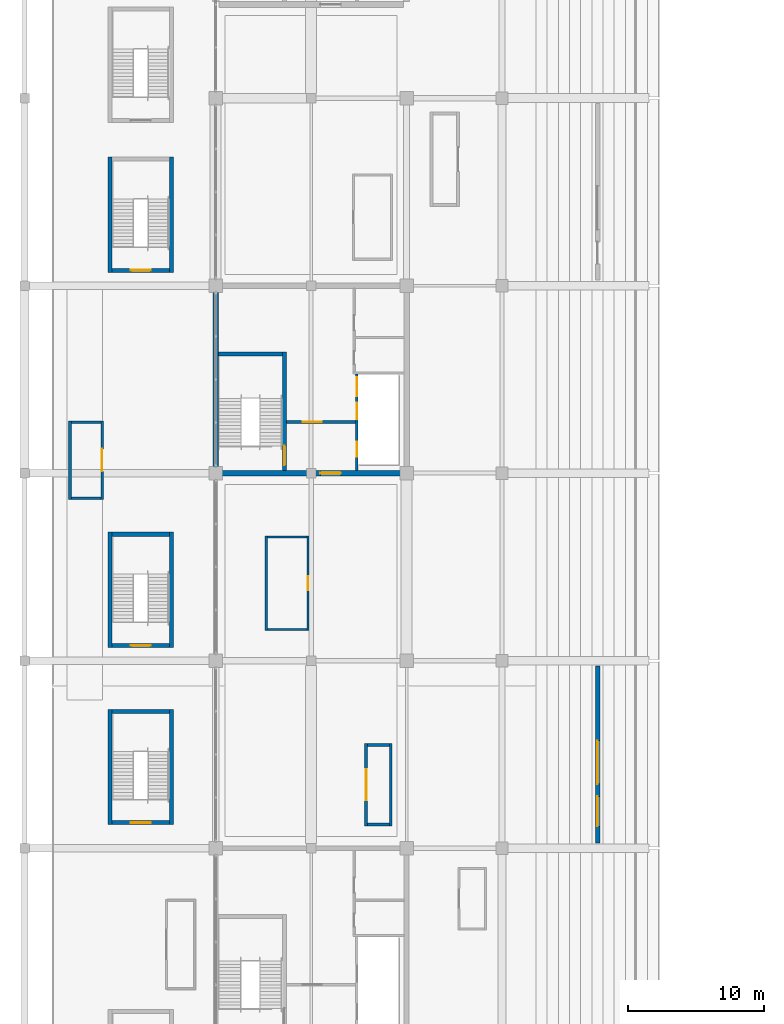
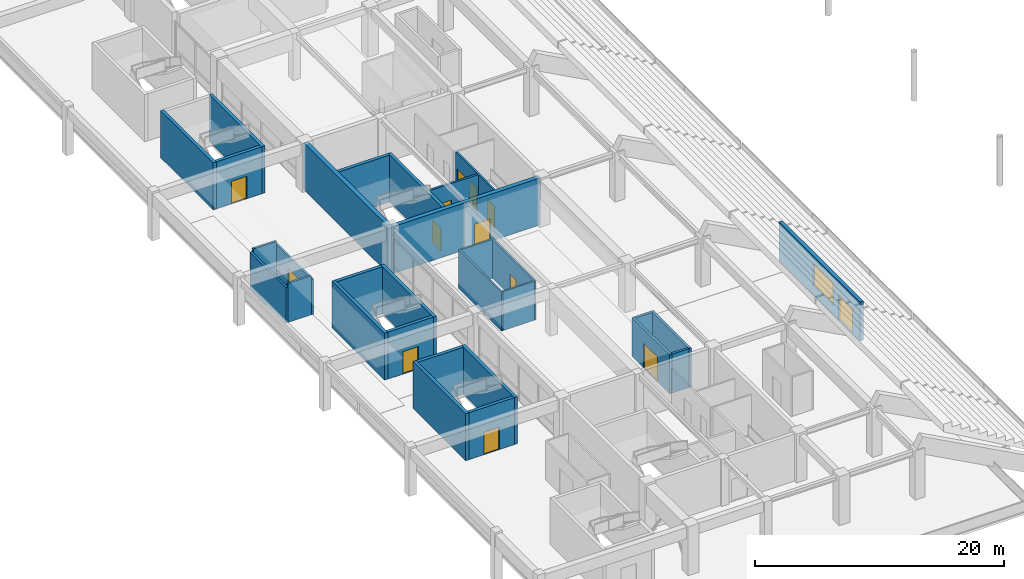
# One storey, part 71 of 94: 30 walls, 13 doors, 1 window, 14 openings.
"""IFC4 building model written with IfcOpenShell, lengths in metres."""

import ifcopenshell
import ifcopenshell.guid

model = None  # the IFC model being written
_history = None  # IfcOwnerHistory: only IFC2X3 demands one
_inside = {}  # id of a spatial element -> (the spatial element, [elements in it])
_under = {}  # id of a project, library or spatial element -> (it, [spatial elements below it])
_declared = {}  # id of a project -> (the project, [libraries it declares])
_typed = {}  # id of a type object -> (the type object, [elements of that type])
_made_of = {}  # id of a material, layer set ... -> (it, [elements and type objects made of it])


def new_model(schema):
    """Start an empty IFC model of exactly this schema.

    Asked for "IFC4X3", IfcOpenShell would pick the latest addendum, in which some entities
    have other attributes; the version numbers below select the first issue.
    IFC2X3 requires an IfcOwnerHistory on every rooted entity: one is made here for all.
    """
    global model, _history
    if schema == "IFC4X3":
        model = ifcopenshell.file(schema_version=(4, 3, 0, 0))
    else:
        model = ifcopenshell.file(schema=schema)
    _inside.clear()
    _under.clear()
    _declared.clear()
    _typed.clear()
    _made_of.clear()
    _history = None
    if model.schema == "IFC2X3":
        org = make("IfcOrganization", Name="unknown")
        user = make(
            "IfcPersonAndOrganization",
            ThePerson=make("IfcPerson", FamilyName="unknown"),
            TheOrganization=org,
        )
        app = make(
            "IfcApplication",
            ApplicationDeveloper=org,
            Version="unknown",
            ApplicationFullName="unknown",
            ApplicationIdentifier="unknown",
        )
        _history = make(
            "IfcOwnerHistory",
            OwningUser=user,
            OwningApplication=app,
            ChangeAction="ADDED",
            CreationDate=0,
        )
    return model


def make(cls, **values):
    """One entity of the class cls with the attributes given. An attribute that is None is left unset."""
    return model.create_entity(
        cls, **{name: value for name, value in values.items() if value is not None}
    )


def rooted(cls, **values):
    """An entity with a GlobalId (a new one), such as an element, a storey or a relation."""
    return make(cls, GlobalId=ifcopenshell.guid.new(), OwnerHistory=_history, **values)


def si_unit(unit_type, name, prefix=None):
    """IfcSIUnit, for example si_unit("LENGTHUNIT", "METRE", prefix="MILLI")."""
    return make("IfcSIUnit", UnitType=unit_type, Prefix=prefix, Name=name)


def assignment(units):
    """IfcUnitAssignment: the units of a project."""
    return None if units is None else make("IfcUnitAssignment", Units=units)


def point(xyz):
    """IfcCartesianPoint."""
    return None if xyz is None else make("IfcCartesianPoint", Coordinates=xyz)


def direction(xyz):
    """IfcDirection."""
    return None if xyz is None else make("IfcDirection", DirectionRatios=xyz)


def frame(location, z_axis=None, x_axis=None):
    """IfcAxis2Placement3D, a coordinate frame: its origin and axes. An axis left out is left unset."""
    return make(
        "IfcAxis2Placement3D",
        Location=point(location),
        Axis=direction(z_axis),
        RefDirection=direction(x_axis),
    )


def frame_2d(location, x_axis=None):
    """IfcAxis2Placement2D, a coordinate frame in the plane: its origin and x axis."""
    return make(
        "IfcAxis2Placement2D", Location=point(location), RefDirection=direction(x_axis)
    )


def origin():
    """The frame at (0, 0, 0) with its axes left unset."""
    return frame((0.0, 0.0, 0.0))


def place(relative_to, where):
    """IfcLocalPlacement: puts the frame where relative to a parent placement (None: the world)."""
    return make(
        "IfcLocalPlacement", PlacementRelTo=relative_to, RelativePlacement=where
    )


def context(
    kind, dimensions, precision=None, world=None, true_north=None, identifier=None
):
    """IfcGeometricRepresentationContext, for example the 3D "Model" context."""
    return make(
        "IfcGeometricRepresentationContext",
        ContextIdentifier=identifier,
        ContextType=kind,
        CoordinateSpaceDimension=dimensions,
        Precision=precision,
        WorldCoordinateSystem=world,
        TrueNorth=true_north,
    )


def subcontext(parent, identifier, kind, view, scale=None):
    """IfcGeometricRepresentationSubContext, for example "Body" below "Model"."""
    return make(
        "IfcGeometricRepresentationSubContext",
        ContextIdentifier=identifier,
        ContextType=kind,
        ParentContext=parent,
        TargetScale=scale,
        TargetView=view,
    )


def project(units=None, contexts=None):
    """IfcProject with its units and contexts."""
    return rooted(
        "IfcProject",
        Name="project",
        RepresentationContexts=contexts,
        UnitsInContext=assignment(units),
    )


def spatial(cls, under=None, at=None, **own):
    """A site, building, storey or space (cls), placed at a placement, below another one or the project."""
    s = rooted(cls, ObjectPlacement=at, **own)
    if under is not None:
        _under.setdefault(under.id(), (under, []))[1].append(s)
    return s


def profile(cls, at=None, kind="AREA", **sizes):
    """A parametric profile (cls). Its sizes go by their IFC names, for example OverallWidth=200.0."""
    return make(cls, ProfileType=kind, Position=at, **sizes)


def rectangle(**sizes):
    """IfcRectangleProfileDef."""
    return profile("IfcRectangleProfileDef", **sizes)


def extrude(swept, where, along, depth):
    """IfcExtrudedAreaSolid: the profile swept, set in the frame where, extruded along a direction by depth."""
    return make(
        "IfcExtrudedAreaSolid",
        SweptArea=swept,
        Position=where,
        ExtrudedDirection=direction(along),
        Depth=depth,
    )


def shape(context_of_items, identifier, shape_type, items):
    """IfcShapeRepresentation: the items that make up one representation, for example the "Body"."""
    return make(
        "IfcShapeRepresentation",
        ContextOfItems=context_of_items,
        RepresentationIdentifier=identifier,
        RepresentationType=shape_type,
        Items=items,
    )


def material(Name=None, Category=None):
    """IfcMaterial."""
    return make("IfcMaterial", Name=Name, Category=Category)


def layer(
    of_material, thickness, ventilated=None, Name=None, Category=None, Priority=None
):
    """IfcMaterialLayer: one layer of a wall or slab, of a material (None: an air gap)."""
    return make(
        "IfcMaterialLayer",
        Material=of_material,
        LayerThickness=thickness,
        IsVentilated=ventilated,
        Name=Name,
        Category=Category,
        Priority=Priority,
    )


def layer_set(layers, Name=None):
    """IfcMaterialLayerSet."""
    return make("IfcMaterialLayerSet", MaterialLayers=layers, LayerSetName=Name)


def made_of(thing, what):
    """Note that an element or type object is made of a material, layer set ...; save() writes the relation."""
    if what is not None:
        _made_of.setdefault(what.id(), (what, []))[1].append(thing)
    return thing


def type_object(cls, material=None, **own):
    """A type object (cls), such as IfcWallType, which elements share."""
    return made_of(rooted(cls, **own), material)


def element(
    cls,
    number,
    at=None,
    inside=None,
    cuts=None,
    type_object=None,
    material=None,
    context=None,
    identifier="Body",
    shape_type=None,
    held_by="IfcProductDefinitionShape",
    body=None,
    shapes=None,
    **own,
):
    """One element of the class cls, such as IfcWall. Its Tag is "e" and its number.

    at: its placement. inside: the storey or other place that contains it. cuts: it is an
    opening in that element (IfcRelVoidsElement). A single representation is given by context,
    identifier, shape_type and body (its items); several are given by shapes. held_by: the class
    of the entity that holds the representations. save() writes the other relations.
    """
    e = rooted(cls, Tag="e%d" % number, ObjectPlacement=at, **own)
    if body is not None:
        shapes = [shape(context, identifier, shape_type, body)]
    if shapes is not None:
        e.Representation = make(held_by, Representations=shapes)
    if inside is not None:
        _inside.setdefault(inside.id(), (inside, []))[1].append(e)
    if cuts is not None:
        rooted(
            "IfcRelVoidsElement", RelatingBuildingElement=cuts, RelatedOpeningElement=e
        )
    if type_object is not None:
        _typed.setdefault(type_object.id(), (type_object, []))[1].append(e)
    return made_of(e, material)


def fill(opening, filler):
    """IfcRelFillsElement: the door or window that sits in an opening."""
    return rooted(
        "IfcRelFillsElement",
        RelatingOpeningElement=opening,
        RelatedBuildingElement=filler,
    )


def aggregate(whole, parts):
    """IfcRelAggregates: a whole, such as a stair, and the parts it consists of."""
    return rooted("IfcRelAggregates", RelatingObject=whole, RelatedObjects=parts)


def save(model, path):
    """Write the relations noted so far, then the file.

    IfcRelAggregates (storeys below a building ...), IfcRelContainedInSpatialStructure (elements
    in a storey), IfcRelDefinesByType, IfcRelAssociatesMaterial and IfcRelDeclares: one each for
    every whole, place, type object, material and project.
    """
    for whole, parts in _under.values():
        aggregate(whole, parts)
    for where, things in _inside.values():
        rooted(
            "IfcRelContainedInSpatialStructure",
            RelatedElements=things,
            RelatingStructure=where,
        )
    for kind, things in _typed.values():
        rooted("IfcRelDefinesByType", RelatedObjects=things, RelatingType=kind)
    for what, things in _made_of.values():
        rooted("IfcRelAssociatesMaterial", RelatedObjects=things, RelatingMaterial=what)
    for by, libraries in _declared.values():
        rooted("IfcRelDeclares", RelatingContext=by, RelatedDefinitions=libraries)
    model.write(path)


model = new_model("IFC4")

# Units and contexts
model_context = context("Model", 3, precision=1e-05, world=origin(), true_north=direction((0.0, 1.0)))
body_context = subcontext(model_context, "Body", "Model", "MODEL_VIEW")
ifc_project = project(units=[si_unit("LENGTHUNIT", "METRE"), si_unit("AREAUNIT", "SQUARE_METRE"), si_unit("VOLUMEUNIT", "CUBIC_METRE"), si_unit("PLANEANGLEUNIT", "RADIAN"), si_unit("MASSUNIT", "GRAM", prefix="KILO")], contexts=[model_context])

# Site, building, storey
site_placement = place(None, origin())
site = spatial("IfcSite", under=ifc_project, at=site_placement, CompositionType="ELEMENT")
building_placement = place(site_placement, origin())
building = spatial("IfcBuilding", under=site, at=building_placement, Name="Linyun Crest Stadium", CompositionType="ELEMENT")
storey_placement = place(building_placement, frame((0.0, 0.0, 16.199951171875)))
storey = spatial("IfcBuildingStorey", under=building, at=storey_placement, Name="L04", CompositionType="ELEMENT", Elevation=16.199951171875)

# Wall
ifc_material_1 = material(Name="Concrete C50", Category="concrete")
ifc_layer_1 = layer(ifc_material_1, 0.39990234375)
ifc_layer_set_1 = layer_set([ifc_layer_1], Name="Concrete C50")
wall_type_1 = type_object("IfcWallType", Name="CW02", PredefinedType="SHEAR", material=ifc_layer_set_1)
wall_1_placement = place(storey_placement, frame((-84.0, 2.324951171875, 0.0), z_axis=(0.0, 0.0, 1.0), x_axis=(0.0, 1.0, 0.0)))
element("IfcWall", 1, at=wall_1_placement, inside=storey, type_object=wall_type_1, Name="Core shear wall CW02 CORE-W2 L04.1", PredefinedType="SHEAR", context=body_context, shape_type="SweptSolid", body=[
    extrude(rectangle(XDim=13.35009765625, YDim=0.39990234375, at=frame_2d((6.675048828125, 0.0))), origin(), (0.0, 0.0, 1.0), 4.60009765625),
])

# Wall, opening, door
wall_2_placement = place(storey_placement, frame((-83.800048828125, 2.125, 0.0), z_axis=(0.0, 0.0, 1.0), x_axis=(1.0, 0.0, 0.0)))
wall_2 = element("IfcWall", 2, at=wall_2_placement, inside=storey, type_object=wall_type_1, Name="Core shear wall CW02 CORE-W2 L04.3", PredefinedType="SHEAR", context=body_context, shape_type="SweptSolid", body=[
    extrude(rectangle(XDim=13.60009765625, YDim=0.39990234375, at=frame_2d((6.800048828125, 0.0))), origin(), (0.0, 0.0, 1.0), 4.60009765625),
])
opening_1_placement = place(wall_2_placement, frame((7.47998046875, 0.0, 0.0)))
opening_1 = element("IfcOpeningElement", 3, at=opening_1_placement, cuts=wall_2, Name="Opening D-L04-082", PredefinedType="OPENING", context=body_context, shape_type="SweptSolid", body=[
    extrude(rectangle(XDim=1.5, YDim=2.199951171875, at=frame_2d((0.75, 1.10009765625))), frame((0.0, 0.2099609375, 0.0), z_axis=(0.0, -1.0, 0.0), x_axis=(1.0, 0.0, 0.0)), (0.0, 0.0, 1.0), 0.419921875),
])
ifc_material_2 = material(Name="Galvanized steel Class A fire door", Category="steel")
ifc_layer_2 = layer(ifc_material_2, 0.054931640625)
ifc_layer_set_2 = layer_set([ifc_layer_2], Name="Galvanized steel Class A fire door")
door_type_1 = type_object("IfcDoorType", Name="FD01", OperationType="NOTDEFINED", PredefinedType="DOOR", material=ifc_layer_set_2)
door_1_placement = place(opening_1_placement, origin())
door_1 = element("IfcDoor", 4, at=door_1_placement, inside=storey, type_object=door_type_1, Name="Door D-L04-082", OperationType="SINGLE_SWING_RIGHT", OverallHeight=2.199951171875, OverallWidth=1.5, PredefinedType="DOOR", context=body_context, shape_type="SweptSolid", body=[
    extrude(rectangle(XDim=1.5, YDim=2.199951171875, at=frame_2d((0.75, 1.10009765625))), frame((0.0, 0.02490234375, 0.0), z_axis=(0.0, -1.0, 0.0), x_axis=(1.0, 0.0, 0.0)), (0.0, 0.0, 1.0), 0.050048828125),
])
fill(opening_1, door_1)

# Wall, openings, door, window
ifc_material_3 = material(Name="Precast concrete C40 insulated facade panel", Category="concrete")
ifc_layer_3 = layer(ifc_material_3, 0.330078125)
ifc_layer_set_3 = layer_set([ifc_layer_3], Name="Precast concrete C40 insulated facade panel")
wall_type_2 = type_object("IfcWallType", Name="EW05", PredefinedType="SOLIDWALL", material=ifc_layer_set_3)
wall_3_placement = place(storey_placement, frame((-56.0, -24.97998046875, 0.0), z_axis=(0.0, 0.0, 1.0), x_axis=(0.0, 1.0, 0.0)))
wall_3 = element("IfcWall", 5, at=wall_3_placement, inside=storey, type_object=wall_type_2, Name="Exterior wall EW05 L04 66", PredefinedType="SOLIDWALL", context=body_context, shape_type="SweptSolid", body=[
    extrude(rectangle(XDim=12.9599609375, YDim=0.330078125, at=frame_2d((6.47998046875, 0.0))), origin(), (0.0, 0.0, 1.0), 3.820068359375),
])
opening_2_placement = place(wall_3_placement, frame((1.199951171875, 0.0, 0.0)))
opening_2 = element("IfcOpeningElement", 6, at=opening_2_placement, cuts=wall_3, Name="Opening BD-L04-05", PredefinedType="OPENING", context=body_context, shape_type="SweptSolid", body=[
    extrude(rectangle(XDim=2.199951171875, YDim=2.449951171875, at=frame_2d((1.10009765625, 1.22509765625))), frame((0.0, 0.175048828125, 0.0), z_axis=(0.0, -1.0, 0.0), x_axis=(1.0, 0.0, 0.0)), (0.0, 0.0, 1.0), 0.35009765625),
])
opening_3_placement = place(wall_3_placement, frame((4.300048828125, 0.0, 0.89990234375)))
opening_3 = element("IfcOpeningElement", 7, at=opening_3_placement, cuts=wall_3, Name="Opening WN10", PredefinedType="OPENING", context=body_context, shape_type="SweptSolid", body=[
    extrude(rectangle(XDim=3.199951171875, YDim=2.199951171875, at=frame_2d((1.60009765625, 1.10009765625))), frame((0.0, 0.175048828125, 0.0), z_axis=(0.0, -1.0, 0.0), x_axis=(1.0, 0.0, 0.0)), (0.0, 0.0, 1.0), 0.35009765625),
])
ifc_material_4 = material(Name="Thermally broken aluminium and low-E glass", Category="aluminium")
ifc_layer_4 = layer(ifc_material_4, 0.054931640625)
ifc_layer_set_4 = layer_set([ifc_layer_4], Name="Thermally broken aluminium and low-E glass")
door_type_2 = type_object("IfcDoorType", Name="BD03", OperationType="NOTDEFINED", PredefinedType="DOOR", material=ifc_layer_set_4)
door_2_placement = place(opening_2_placement, origin())
door_2 = element("IfcDoor", 8, at=door_2_placement, inside=storey, type_object=door_type_2, Name="Terrace door BD-L04-05", OperationType="SINGLE_SWING_LEFT", OverallHeight=2.449951171875, OverallWidth=2.199951171875, PredefinedType="DOOR", context=body_context, shape_type="SweptSolid", body=[
    extrude(rectangle(XDim=2.199951171875, YDim=2.449951171875, at=frame_2d((1.10009765625, 1.22509765625))), frame((0.0, 0.02490234375, 0.0), z_axis=(0.0, -1.0, 0.0), x_axis=(1.0, 0.0, 0.0)), (0.0, 0.0, 1.0), 0.050048828125),
])
fill(opening_2, door_2)
ifc_material_5 = material(Name="Hospitality panoramic low-E vision window")
ifc_layer_5 = layer(ifc_material_5, 0.06494140625)
ifc_layer_set_5 = layer_set([ifc_layer_5], Name="Hospitality panoramic low-E vision window")
window_type = type_object("IfcWindowType", Name="WN10", PartitioningType="SINGLE_PANEL", PredefinedType="WINDOW", material=ifc_layer_set_5)
window_placement = place(opening_3_placement, origin())
window = element("IfcWindow", 9, at=window_placement, inside=storey, type_object=window_type, Name="Window WN10 L04 41", OverallHeight=2.199951171875, OverallWidth=3.199951171875, PartitioningType="SINGLE_PANEL", PredefinedType="WINDOW", context=body_context, shape_type="SweptSolid", body=[
    extrude(rectangle(XDim=3.199951171875, YDim=2.199951171875, at=frame_2d((1.60009765625, 1.10009765625))), frame((0.0, 0.030029296875, 0.0), z_axis=(0.0, -1.0, 0.0), x_axis=(1.0, 0.0, 0.0)), (0.0, 0.0, 1.0), 0.06005859375),
])
fill(opening_3, window)

# Wall, opening, door
ifc_material_6 = material(Name="Autoclaved aerated concrete block with fireboard", Category="concrete")
ifc_layer_6 = layer(ifc_material_6, 0.199951171875)
ifc_layer_set_6 = layer_set([ifc_layer_6], Name="Autoclaved aerated concrete block with fireboard")
wall_type_3 = type_object("IfcWallType", Name="PW11", PredefinedType="PARTITIONING", material=ifc_layer_set_6)
wall_4_placement = place(storey_placement, frame((-78.800048828125, 5.875, 0.0), z_axis=(0.0, 0.0, 1.0), x_axis=(1.0, 0.0, 0.0)))
wall_4 = element("IfcWall", 10, at=wall_4_placement, inside=storey, type_object=wall_type_3, Name="Partition PW11 L04 34", PredefinedType="PARTITIONING", context=body_context, shape_type="SweptSolid", body=[
    extrude(rectangle(XDim=5.06005859375, YDim=0.199951171875, at=frame_2d((2.530029296875, 0.0))), origin(), (0.0, 0.0, 1.0), 3.820068359375),
])
opening_4_placement = place(wall_4_placement, frame((1.169921875, 0.0, 0.0)))
opening_4 = element("IfcOpeningElement", 11, at=opening_4_placement, cuts=wall_4, Name="Opening D-L04-084", PredefinedType="OPENING", context=body_context, shape_type="SweptSolid", body=[
    extrude(rectangle(XDim=1.39990234375, YDim=2.199951171875, at=frame_2d((0.699951171875, 1.10009765625))), frame((0.0, 0.10986328125, 0.0), z_axis=(0.0, -1.0, 0.0), x_axis=(1.0, 0.0, 0.0)), (0.0, 0.0, 1.0), 0.219970703125),
])
ifc_material_7 = material(Name="Galvanized steel Class B fire door", Category="steel")
ifc_layer_7 = layer(ifc_material_7, 0.054931640625)
ifc_layer_set_7 = layer_set([ifc_layer_7], Name="Galvanized steel Class B fire door")
door_type_3 = type_object("IfcDoorType", Name="FD03", OperationType="NOTDEFINED", PredefinedType="DOOR", material=ifc_layer_set_7)
door_3_placement = place(opening_4_placement, origin())
door_3 = element("IfcDoor", 12, at=door_3_placement, inside=storey, type_object=door_type_3, Name="Door D-L04-084", OperationType="SINGLE_SWING_RIGHT", OverallHeight=2.199951171875, OverallWidth=1.39990234375, PredefinedType="DOOR", context=body_context, shape_type="SweptSolid", body=[
    extrude(rectangle(XDim=1.39990234375, YDim=2.199951171875, at=frame_2d((0.699951171875, 1.10009765625))), frame((0.0, 0.02490234375, 0.0), z_axis=(0.0, -1.0, 0.0), x_axis=(1.0, 0.0, 0.0)), (0.0, 0.0, 1.0), 0.050048828125),
])
fill(opening_4, door_3)

# Wall, openings, doors
ifc_material_8 = material(Name="Autoclaved aerated concrete block fire partition", Category="concrete")
ifc_layer_8 = layer(ifc_material_8, 0.179931640625)
ifc_layer_set_8 = layer_set([ifc_layer_8], Name="Autoclaved aerated concrete block fire partition")
wall_type_4 = type_object("IfcWallType", Name="PW12", PredefinedType="PARTITIONING", material=ifc_layer_set_8)
wall_5_placement = place(storey_placement, frame((-73.64990234375, 2.324951171875, 0.0), z_axis=(0.0, 0.0, 1.0), x_axis=(0.0, 1.0, 0.0)))
wall_5 = element("IfcWall", 13, at=wall_5_placement, inside=storey, type_object=wall_type_4, Name="Partition PW12 L04 35", PredefinedType="PARTITIONING", context=body_context, shape_type="SweptSolid", body=[
    extrude(rectangle(XDim=7.080078125, YDim=0.179931640625, at=frame_2d((3.5400390625, 0.0))), origin(), (0.0, 0.0, 1.0), 3.820068359375),
])
opening_5_placement = place(wall_5_placement, frame((1.0, 0.0, 0.0)))
opening_5 = element("IfcOpeningElement", 14, at=opening_5_placement, cuts=wall_5, Name="Opening LD027", PredefinedType="OPENING", context=body_context, shape_type="SweptSolid", body=[
    extrude(rectangle(XDim=1.10009765625, YDim=2.199951171875, at=frame_2d((0.550048828125, 1.10009765625))), frame((0.0, 0.099853515625, 0.0), z_axis=(0.0, -1.0, 0.0), x_axis=(1.0, 0.0, 0.0)), (0.0, 0.0, 1.0), 0.199951171875),
])
opening_6_placement = place(wall_5_placement, frame((3.75, 0.0, 0.0)))
opening_6 = element("IfcOpeningElement", 15, at=opening_6_placement, cuts=wall_5, Name="Opening LD028", PredefinedType="OPENING", context=body_context, shape_type="SweptSolid", body=[
    extrude(rectangle(XDim=1.199951171875, YDim=2.25, at=frame_2d((0.60009765625, 1.125))), frame((0.0, 0.099853515625, 0.0), z_axis=(0.0, -1.0, 0.0), x_axis=(1.0, 0.0, 0.0)), (0.0, 0.0, 1.0), 0.199951171875),
])
opening_7_placement = place(wall_5_placement, frame((5.449951171875, 0.0, 0.0)))
opening_7 = element("IfcOpeningElement", 16, at=opening_7_placement, cuts=wall_5, Name="Opening LD029", PredefinedType="OPENING", context=body_context, shape_type="SweptSolid", body=[
    extrude(rectangle(XDim=1.39990234375, YDim=2.300048828125, at=frame_2d((0.699951171875, 1.14990234375))), frame((0.0, 0.099853515625, 0.0), z_axis=(0.0, -1.0, 0.0), x_axis=(1.0, 0.0, 0.0)), (0.0, 0.0, 1.0), 0.199951171875),
])
ifc_material_9 = material(Name="Brushed stainless sliding lift door")
ifc_layer_9 = layer(ifc_material_9, 0.050048828125)
ifc_layer_set_9 = layer_set([ifc_layer_9], Name="Brushed stainless sliding lift door")
door_type_4 = type_object("IfcDoorType", Name="LD01", OperationType="NOTDEFINED", PredefinedType="DOOR", material=ifc_layer_set_9)
door_4_placement = place(opening_5_placement, origin())
door_4 = element("IfcDoor", 17, at=door_4_placement, inside=storey, type_object=door_type_4, Name="Lift landing door LD027", OperationType="DOUBLE_DOOR_SLIDING", OverallHeight=2.199951171875, OverallWidth=1.10009765625, PredefinedType="DOOR", context=body_context, shape_type="SweptSolid", body=[
    extrude(rectangle(XDim=1.10009765625, YDim=2.199951171875, at=frame_2d((0.550048828125, 1.10009765625))), frame((0.0, 0.02490234375, 0.0), z_axis=(0.0, -1.0, 0.0), x_axis=(1.0, 0.0, 0.0)), (0.0, 0.0, 1.0), 0.050048828125),
])
fill(opening_5, door_4)
ifc_material_10 = material(Name="Brushed stainless sliding lift door")
ifc_layer_10 = layer(ifc_material_10, 0.050048828125)
ifc_layer_set_10 = layer_set([ifc_layer_10], Name="Brushed stainless sliding lift door")
door_type_5 = type_object("IfcDoorType", Name="LD02", OperationType="NOTDEFINED", PredefinedType="DOOR", material=ifc_layer_set_10)
door_5_placement = place(opening_6_placement, origin())
door_5 = element("IfcDoor", 18, at=door_5_placement, inside=storey, type_object=door_type_5, Name="Lift landing door LD028", OperationType="DOUBLE_DOOR_SLIDING", OverallHeight=2.25, OverallWidth=1.199951171875, PredefinedType="DOOR", context=body_context, shape_type="SweptSolid", body=[
    extrude(rectangle(XDim=1.199951171875, YDim=2.25, at=frame_2d((0.60009765625, 1.125))), frame((0.0, 0.02490234375, 0.0), z_axis=(0.0, -1.0, 0.0), x_axis=(1.0, 0.0, 0.0)), (0.0, 0.0, 1.0), 0.050048828125),
])
fill(opening_6, door_5)
ifc_material_11 = material(Name="Heavy-duty stainless sliding door")
ifc_layer_11 = layer(ifc_material_11, 0.054931640625)
ifc_layer_set_11 = layer_set([ifc_layer_11], Name="Heavy-duty stainless sliding door")
door_type_6 = type_object("IfcDoorType", Name="LD03", OperationType="NOTDEFINED", PredefinedType="DOOR", material=ifc_layer_set_11)
door_6_placement = place(opening_7_placement, origin())
door_6 = element("IfcDoor", 19, at=door_6_placement, inside=storey, type_object=door_type_6, Name="Lift landing door LD029", OperationType="DOUBLE_DOOR_SLIDING", OverallHeight=2.300048828125, OverallWidth=1.39990234375, PredefinedType="DOOR", context=body_context, shape_type="SweptSolid", body=[
    extrude(rectangle(XDim=1.39990234375, YDim=2.300048828125, at=frame_2d((0.699951171875, 1.14990234375))), frame((0.0, 0.02490234375, 0.0), z_axis=(0.0, -1.0, 0.0), x_axis=(1.0, 0.0, 0.0)), (0.0, 0.0, 1.0), 0.050048828125),
])
fill(opening_7, door_6)

# Wall, opening, door
ifc_material_12 = material(Name="Medical and doping-control hygienic partition")
ifc_layer_12 = layer(ifc_material_12, 0.155029296875)
ifc_layer_set_12 = layer_set([ifc_layer_12], Name="Medical and doping-control hygienic partition")
wall_type_5 = type_object("IfcWallType", Name="PW23", PredefinedType="PARTITIONING", material=ifc_layer_set_12)
wall_6_placement = place(storey_placement, frame((-77.23193359375, -2.486083984375, 0.0), z_axis=(0.0, 0.0, 1.0), x_axis=(0.0, -1.0, 0.0)))
wall_6 = element("IfcWall", 20, at=wall_6_placement, inside=storey, type_object=wall_type_5, Name="Partition PW23 L04 259", PredefinedType="PARTITIONING", context=body_context, shape_type="SweptSolid", body=[
    extrude(rectangle(XDim=6.919921875, YDim=0.155029296875, at=frame_2d((3.4599609375, 0.0))), origin(), (0.0, 0.0, 1.0), 3.820068359375),
])
opening_8_placement = place(wall_6_placement, frame((2.9599609375, 0.0, 0.0)))
opening_8 = element("IfcOpeningElement", 21, at=opening_8_placement, cuts=wall_6, Name="Opening D-L04-522", PredefinedType="OPENING", context=body_context, shape_type="SweptSolid", body=[
    extrude(rectangle(XDim=1.0, YDim=2.14990234375, at=frame_2d((0.5, 1.074951171875))), frame((0.0, 0.08740234375, 0.0), z_axis=(0.0, -1.0, 0.0), x_axis=(1.0, 0.0, 0.0)), (0.0, 0.0, 1.0), 0.175048828125),
])
ifc_material_13 = material(Name="Hardwood veneer acoustic leaf", Category="wood")
ifc_layer_13 = layer(ifc_material_13, 0.044921875)
ifc_layer_set_13 = layer_set([ifc_layer_13], Name="Hardwood veneer acoustic leaf")
door_type_7 = type_object("IfcDoorType", Name="ID01", OperationType="NOTDEFINED", PredefinedType="DOOR", material=ifc_layer_set_13)
door_7_placement = place(opening_8_placement, origin())
door_7 = element("IfcDoor", 22, at=door_7_placement, inside=storey, type_object=door_type_7, Name="Door D-L04-522", OperationType="SINGLE_SWING_RIGHT", OverallHeight=2.14990234375, OverallWidth=1.0, PredefinedType="DOOR", context=body_context, shape_type="SweptSolid", body=[
    extrude(rectangle(XDim=1.0, YDim=2.14990234375, at=frame_2d((0.5, 1.074951171875))), frame((0.0, 0.02490234375, 0.0), z_axis=(0.0, -1.0, 0.0), x_axis=(1.0, 0.0, 0.0)), (0.0, 0.0, 1.0), 0.050048828125),
])
fill(opening_8, door_7)

# Walls
wall_7_placement = place(storey_placement, frame((-80.2919921875, -9.406005859375, 0.0), z_axis=(0.0, 0.0, 1.0), x_axis=(0.0, 1.0, 0.0)))
element("IfcWall", 23, at=wall_7_placement, inside=storey, type_object=wall_type_5, Name="Enclosure partition PW23 L04 493", PredefinedType="PARTITIONING", context=body_context, shape_type="SweptSolid", body=[
    extrude(rectangle(XDim=6.919921875, YDim=0.155029296875, at=frame_2d((3.4599609375, 0.0))), origin(), (0.0, 0.0, 1.0), 3.820068359375),
])
for number, where, z_axis, x_axis, name in (
    (24, (-80.214111328125, -9.327880859375, 0.0), (0.0, 0.0, 1.0), (1.0, 0.0, 0.0), "Enclosure partition PW23 L04 494"),
    (25, (-80.214111328125, -2.56396484375, 0.0), (0.0, 0.0, 1.0), (1.0, 0.0, 0.0), "Enclosure partition PW23 L04 495"),
):
    element("IfcWall", number, at=place(storey_placement, frame(where, z_axis=z_axis, x_axis=x_axis)), inside=storey, type_object=wall_type_5, Name=name, PredefinedType="PARTITIONING", context=body_context, shape_type="SweptSolid", body=[
        extrude(rectangle(XDim=2.904052734375, YDim=0.155029296875, at=frame_2d((1.4521484375, 0.0))), origin(), (0.0, 0.0, 1.0), 3.820068359375),
    ])

# Wall, opening, door
ifc_material_14 = material(Name="Ticketing hall security partition")
ifc_layer_14 = layer(ifc_material_14, 0.18994140625)
ifc_layer_set_14 = layer_set([ifc_layer_14], Name="Ticketing hall security partition")
wall_type_6 = type_object("IfcWallType", Name="PW25", PredefinedType="PARTITIONING", material=ifc_layer_set_14)
wall_8_placement = place(storey_placement, frame((-92.3330078125, 5.965087890625, 0.0), z_axis=(0.0, 0.0, 1.0), x_axis=(0.0, -1.0, 0.0)))
wall_8 = element("IfcWall", 26, at=wall_8_placement, inside=storey, type_object=wall_type_6, Name="Partition PW25 L04 214", PredefinedType="PARTITIONING", context=body_context, shape_type="SweptSolid", body=[
    extrude(rectangle(XDim=5.760009765625, YDim=0.18994140625, at=frame_2d((2.8798828125, 0.0))), origin(), (0.0, 0.0, 1.0), 3.47509765625),
])
opening_9_placement = place(wall_8_placement, frame((2.054931640625, 0.0, 0.0)))
opening_9 = element("IfcOpeningElement", 27, at=opening_9_placement, cuts=wall_8, Name="Opening D-L04-477", PredefinedType="OPENING", context=body_context, shape_type="SweptSolid", body=[
    extrude(rectangle(XDim=1.64990234375, YDim=2.300048828125, at=frame_2d((0.824951171875, 1.14990234375))), frame((0.0, 0.10498046875, 0.0), z_axis=(0.0, -1.0, 0.0), x_axis=(1.0, 0.0, 0.0)), (0.0, 0.0, 1.0), 0.2099609375),
])
ifc_material_15 = material(Name="Double-leaf acoustic timber door", Category="wood")
ifc_layer_15 = layer(ifc_material_15, 0.050048828125)
ifc_layer_set_15 = layer_set([ifc_layer_15], Name="Double-leaf acoustic timber door")
door_type_8 = type_object("IfcDoorType", Name="ID09", OperationType="NOTDEFINED", PredefinedType="DOOR", material=ifc_layer_set_15)
door_8_placement = place(opening_9_placement, origin())
door_8 = element("IfcDoor", 28, at=door_8_placement, inside=storey, type_object=door_type_8, Name="Door D-L04-477", OperationType="SINGLE_SWING_LEFT", OverallHeight=2.300048828125, OverallWidth=1.64990234375, PredefinedType="DOOR", context=body_context, shape_type="SweptSolid", body=[
    extrude(rectangle(XDim=1.64990234375, YDim=2.300048828125, at=frame_2d((0.824951171875, 1.14990234375))), frame((0.0, 0.02490234375, 0.0), z_axis=(0.0, -1.0, 0.0), x_axis=(1.0, 0.0, 0.0)), (0.0, 0.0, 1.0), 0.050048828125),
])
fill(opening_9, door_8)

# Walls
wall_9_placement = place(storey_placement, frame((-94.68310546875, 0.205078125, 0.0), z_axis=(0.0, 0.0, 1.0), x_axis=(0.0, 1.0, 0.0)))
element("IfcWall", 29, at=wall_9_placement, inside=storey, type_object=wall_type_6, Name="Enclosure partition PW25 L04 358", PredefinedType="PARTITIONING", context=body_context, shape_type="SweptSolid", body=[
    extrude(rectangle(XDim=5.760009765625, YDim=0.18994140625, at=frame_2d((2.8798828125, 0.0))), origin(), (0.0, 0.0, 1.0), 3.47509765625),
])
for number, where, z_axis, x_axis, name in (
    (30, (-94.587890625, 0.300048828125, 0.0), (0.0, 0.0, 1.0), (1.0, 0.0, 0.0), "Enclosure partition PW25 L04 359"),
    (31, (-94.587890625, 5.8701171875, 0.0), (0.0, 0.0, 1.0), (1.0, 0.0, 0.0), "Enclosure partition PW25 L04 360"),
):
    element("IfcWall", number, at=place(storey_placement, frame(where, z_axis=z_axis, x_axis=x_axis)), inside=storey, type_object=wall_type_6, Name=name, PredefinedType="PARTITIONING", context=body_context, shape_type="SweptSolid", body=[
        extrude(rectangle(XDim=2.159912109375, YDim=0.18994140625, at=frame_2d((1.080078125, 0.0))), origin(), (0.0, 0.0, 1.0), 3.820068359375),
    ])

# Wall, opening, door
ifc_material_16 = material(Name="Kitchen hood and service riser enclosure wall")
ifc_layer_16 = layer(ifc_material_16, 0.2099609375)
ifc_layer_set_16 = layer_set([ifc_layer_16], Name="Kitchen hood and service riser enclosure wall")
wall_type_7 = type_object("IfcWallType", Name="PW26", PredefinedType="PARTITIONING", material=ifc_layer_set_16)
wall_10_placement = place(storey_placement, frame((-72.967041015625, -23.739013671875, 0.0), z_axis=(0.0, 0.0, 1.0), x_axis=(0.0, 1.0, 0.0)))
wall_10 = element("IfcWall", 32, at=wall_10_placement, inside=storey, type_object=wall_type_7, Name="Partition PW26 L04 215", PredefinedType="PARTITIONING", context=body_context, shape_type="SweptSolid", body=[
    extrude(rectangle(XDim=6.050048828125, YDim=0.2099609375, at=frame_2d((3.02490234375, 0.0))), origin(), (0.0, 0.0, 1.0), 3.820068359375),
])
opening_10_placement = place(wall_10_placement, frame((1.89990234375, 0.0, 0.0)))
opening_10 = element("IfcOpeningElement", 33, at=opening_10_placement, cuts=wall_10, Name="Opening D-L04-478", PredefinedType="OPENING", context=body_context, shape_type="SweptSolid", body=[
    extrude(rectangle(XDim=2.25, YDim=2.449951171875, at=frame_2d((1.125, 1.22509765625))), frame((0.0, 0.114990234375, 0.0), z_axis=(0.0, -1.0, 0.0), x_axis=(1.0, 0.0, 0.0)), (0.0, 0.0, 1.0), 0.22998046875),
])
ifc_material_17 = material(Name="Double-leaf anodized aluminium door", Category="aluminium")
ifc_layer_17 = layer(ifc_material_17, 0.054931640625)
ifc_layer_set_17 = layer_set([ifc_layer_17], Name="Double-leaf anodized aluminium door")
door_type_9 = type_object("IfcDoorType", Name="ID10", OperationType="NOTDEFINED", PredefinedType="DOOR", material=ifc_layer_set_17)
door_9_placement = place(opening_10_placement, origin())
door_9 = element("IfcDoor", 34, at=door_9_placement, inside=storey, type_object=door_type_9, Name="Door D-L04-478", OperationType="DOUBLE_DOOR_SINGLE_SWING", OverallHeight=2.449951171875, OverallWidth=2.25, PredefinedType="DOOR", context=body_context, shape_type="SweptSolid", body=[
    extrude(rectangle(XDim=2.25, YDim=2.449951171875, at=frame_2d((1.125, 1.22509765625))), frame((0.0, 0.02490234375, 0.0), z_axis=(0.0, -1.0, 0.0), x_axis=(1.0, 0.0, 0.0)), (0.0, 0.0, 1.0), 0.050048828125),
])
fill(opening_10, door_9)

# Walls
wall_11_placement = place(storey_placement, frame((-71.1669921875, -23.739013671875, 0.0), z_axis=(0.0, 0.0, 1.0), x_axis=(0.0, 1.0, 0.0)))
element("IfcWall", 35, at=wall_11_placement, inside=storey, type_object=wall_type_7, Name="Enclosure partition PW26 L04 361", PredefinedType="PARTITIONING", context=body_context, shape_type="SweptSolid", body=[
    extrude(rectangle(XDim=6.050048828125, YDim=0.2099609375, at=frame_2d((3.02490234375, 0.0))), origin(), (0.0, 0.0, 1.0), 3.820068359375),
])
for number, where, z_axis, x_axis, name in (
    (36, (-72.862060546875, -23.634033203125, 0.0), (0.0, 0.0, 1.0), (1.0, 0.0, 0.0), "Enclosure partition PW26 L04 362"),
    (37, (-72.862060546875, -17.7939453125, 0.0), (0.0, 0.0, 1.0), (1.0, 0.0, 0.0), "Enclosure partition PW26 L04 363"),
):
    element("IfcWall", number, at=place(storey_placement, frame(where, z_axis=z_axis, x_axis=x_axis)), inside=storey, type_object=wall_type_7, Name=name, PredefinedType="PARTITIONING", context=body_context, shape_type="SweptSolid", body=[
        extrude(rectangle(XDim=1.590087890625, YDim=0.2099609375, at=frame_2d((0.794921875, 0.0))), origin(), (0.0, 0.0, 1.0), 3.820068359375),
    ])

# Wall, opening, door
ifc_material_18 = material(Name="Concrete C50", Category="concrete")
ifc_layer_18 = layer(ifc_material_18, 0.300048828125)
ifc_layer_set_18 = layer_set([ifc_layer_18], Name="Concrete C50")
wall_type_8 = type_object("IfcWallType", Name="SW01", PredefinedType="SHEAR", material=ifc_layer_set_18)
wall_12_placement = place(storey_placement, frame((-78.949951171875, 2.324951171875, 0.0), z_axis=(0.0, 0.0, 1.0), x_axis=(0.0, 1.0, 0.0)))
wall_12 = element("IfcWall", 38, at=wall_12_placement, inside=storey, type_object=wall_type_8, Name="Core stair east bearing wall SW01 2 L04", PredefinedType="SHEAR", context=body_context, shape_type="SweptSolid", body=[
    extrude(rectangle(XDim=8.699951171875, YDim=0.300048828125, at=frame_2d((4.35009765625, 0.0))), origin(), (0.0, 0.0, 1.0), 4.60009765625),
])
opening_11_placement = place(wall_12_placement, frame((0.3701171875, 0.0, 0.0)))
opening_11 = element("IfcOpeningElement", 39, at=opening_11_placement, cuts=wall_12, Name="Opening D-L04-083", PredefinedType="OPENING", context=body_context, shape_type="SweptSolid", body=[
    extrude(rectangle(XDim=1.449951171875, YDim=2.199951171875, at=frame_2d((0.72509765625, 1.10009765625))), frame((0.0, 0.159912109375, 0.0), z_axis=(0.0, -1.0, 0.0), x_axis=(1.0, 0.0, 0.0)), (0.0, 0.0, 1.0), 0.320068359375),
])
ifc_material_19 = material(Name="Galvanized steel Class A fire door", Category="steel")
ifc_layer_19 = layer(ifc_material_19, 0.054931640625)
ifc_layer_set_19 = layer_set([ifc_layer_19], Name="Galvanized steel Class A fire door")
door_type_10 = type_object("IfcDoorType", Name="FD02", OperationType="NOTDEFINED", PredefinedType="DOOR", material=ifc_layer_set_19)
door_10_placement = place(opening_11_placement, origin())
door_10 = element("IfcDoor", 40, at=door_10_placement, inside=storey, type_object=door_type_10, Name="Door D-L04-083", OperationType="SINGLE_SWING_LEFT", OverallHeight=2.199951171875, OverallWidth=1.449951171875, PredefinedType="DOOR", context=body_context, shape_type="SweptSolid", body=[
    extrude(rectangle(XDim=1.449951171875, YDim=2.199951171875, at=frame_2d((0.72509765625, 1.10009765625))), frame((0.0, 0.02490234375, 0.0), z_axis=(0.0, -1.0, 0.0), x_axis=(1.0, 0.0, 0.0)), (0.0, 0.0, 1.0), 0.050048828125),
])
fill(opening_11, door_10)

# Wall
wall_13_placement = place(storey_placement, frame((-83.800048828125, 10.875, 0.0), z_axis=(0.0, 0.0, 1.0), x_axis=(1.0, 0.0, 0.0)))
element("IfcWall", 41, at=wall_13_placement, inside=storey, type_object=wall_type_8, Name="Core stair bearing wall SW01 2 L04", PredefinedType="SHEAR", context=body_context, shape_type="SweptSolid", body=[
    extrude(rectangle(XDim=4.699951171875, YDim=0.300048828125, at=frame_2d((2.35009765625, 0.0))), origin(), (0.0, 0.0, 1.0), 4.60009765625),
])

# Wall, opening, door
wall_14_placement = place(storey_placement, frame((-91.60009765625, -23.5, 0.0), z_axis=(0.0, 0.0, 1.0), x_axis=(1.0, 0.0, 0.0)))
wall_14 = element("IfcWall", 42, at=wall_14_placement, inside=storey, type_object=wall_type_8, Name="Stair shaft wall SW01 STR-14 L04 S", PredefinedType="SHEAR", context=body_context, shape_type="SweptSolid", body=[
    extrude(rectangle(XDim=4.2001953125, YDim=0.300048828125, at=frame_2d((2.10009765625, 0.0))), origin(), (0.0, 0.0, 1.0), 4.60009765625),
])
opening_12_placement = place(wall_14_placement, frame((1.375, 0.0, 0.0)))
opening_12 = element("IfcOpeningElement", 43, at=opening_12_placement, cuts=wall_14, Name="Opening D-L04-549", PredefinedType="OPENING", context=body_context, shape_type="SweptSolid", body=[
    extrude(rectangle(XDim=1.449951171875, YDim=2.199951171875, at=frame_2d((0.72509765625, 1.10009765625))), frame((0.0, 0.159912109375, 0.0), z_axis=(0.0, -1.0, 0.0), x_axis=(1.0, 0.0, 0.0)), (0.0, 0.0, 1.0), 0.320068359375),
])
door_11_placement = place(opening_12_placement, origin())
door_11 = element("IfcDoor", 44, at=door_11_placement, inside=storey, type_object=door_type_10, Name="Door D-L04-549", OperationType="SINGLE_SWING_LEFT", OverallHeight=2.199951171875, OverallWidth=1.449951171875, PredefinedType="DOOR", context=body_context, shape_type="SweptSolid", body=[
    extrude(rectangle(XDim=1.449951171875, YDim=2.199951171875, at=frame_2d((0.72509765625, 1.10009765625))), frame((0.0, 0.02490234375, 0.0), z_axis=(0.0, -1.0, 0.0), x_axis=(1.0, 0.0, 0.0)), (0.0, 0.0, 1.0), 0.050048828125),
])
fill(opening_12, door_11)

# Walls
wall_15_placement = place(storey_placement, frame((-91.60009765625, -15.35009765625, 0.0), z_axis=(0.0, 0.0, 1.0), x_axis=(1.0, 0.0, 0.0)))
element("IfcWall", 45, at=wall_15_placement, inside=storey, type_object=wall_type_8, Name="Stair shaft wall SW01 STR-14 L04 N", PredefinedType="SHEAR", context=body_context, shape_type="SweptSolid", body=[
    extrude(rectangle(XDim=4.2001953125, YDim=0.300048828125, at=frame_2d((2.10009765625, 0.0))), origin(), (0.0, 0.0, 1.0), 4.60009765625),
])
for number, where, z_axis, x_axis, name in (
    (46, (-91.75, -23.64990234375, 0.0), (0.0, 0.0, 1.0), (0.0, 1.0, 0.0), "Stair shaft wall SW01 STR-14 L04 W"),
    (47, (-87.25, -23.64990234375, 0.0), (0.0, 0.0, 1.0), (0.0, 1.0, 0.0), "Stair shaft wall SW01 STR-14 L04 E"),
):
    element("IfcWall", number, at=place(storey_placement, frame(where, z_axis=z_axis, x_axis=x_axis)), inside=storey, type_object=wall_type_8, Name=name, PredefinedType="SHEAR", context=body_context, shape_type="SweptSolid", body=[
        extrude(rectangle(XDim=8.449951171875, YDim=0.300048828125, at=frame_2d((4.22509765625, 0.0))), origin(), (0.0, 0.0, 1.0), 4.60009765625),
    ])

# Wall, opening, door
wall_16_placement = place(storey_placement, frame((-91.60009765625, -10.5, 0.0), z_axis=(0.0, 0.0, 1.0), x_axis=(1.0, 0.0, 0.0)))
wall_16 = element("IfcWall", 48, at=wall_16_placement, inside=storey, type_object=wall_type_8, Name="Stair shaft wall SW01 STR-15 L04 S", PredefinedType="SHEAR", context=body_context, shape_type="SweptSolid", body=[
    extrude(rectangle(XDim=4.2001953125, YDim=0.300048828125, at=frame_2d((2.10009765625, 0.0))), origin(), (0.0, 0.0, 1.0), 4.60009765625),
])
opening_13_placement = place(wall_16_placement, frame((1.375, 0.0, 0.0)))
opening_13 = element("IfcOpeningElement", 49, at=opening_13_placement, cuts=wall_16, Name="Opening D-L04-555", PredefinedType="OPENING", context=body_context, shape_type="SweptSolid", body=[
    extrude(rectangle(XDim=1.449951171875, YDim=2.199951171875, at=frame_2d((0.72509765625, 1.10009765625))), frame((0.0, 0.159912109375, 0.0), z_axis=(0.0, -1.0, 0.0), x_axis=(1.0, 0.0, 0.0)), (0.0, 0.0, 1.0), 0.320068359375),
])
door_12_placement = place(opening_13_placement, origin())
door_12 = element("IfcDoor", 50, at=door_12_placement, inside=storey, type_object=door_type_10, Name="Door D-L04-555", OperationType="SINGLE_SWING_LEFT", OverallHeight=2.199951171875, OverallWidth=1.449951171875, PredefinedType="DOOR", context=body_context, shape_type="SweptSolid", body=[
    extrude(rectangle(XDim=1.449951171875, YDim=2.199951171875, at=frame_2d((0.72509765625, 1.10009765625))), frame((0.0, 0.02490234375, 0.0), z_axis=(0.0, -1.0, 0.0), x_axis=(1.0, 0.0, 0.0)), (0.0, 0.0, 1.0), 0.050048828125),
])
fill(opening_13, door_12)

# Walls
wall_17_placement = place(storey_placement, frame((-91.60009765625, -2.35009765625, 0.0), z_axis=(0.0, 0.0, 1.0), x_axis=(1.0, 0.0, 0.0)))
element("IfcWall", 51, at=wall_17_placement, inside=storey, type_object=wall_type_8, Name="Stair shaft wall SW01 STR-15 L04 N", PredefinedType="SHEAR", context=body_context, shape_type="SweptSolid", body=[
    extrude(rectangle(XDim=4.2001953125, YDim=0.300048828125, at=frame_2d((2.10009765625, 0.0))), origin(), (0.0, 0.0, 1.0), 4.60009765625),
])
for number, where, z_axis, x_axis, name in (
    (52, (-91.75, -10.64990234375, 0.0), (0.0, 0.0, 1.0), (0.0, 1.0, 0.0), "Stair shaft wall SW01 STR-15 L04 W"),
    (53, (-87.25, -10.64990234375, 0.0), (0.0, 0.0, 1.0), (0.0, 1.0, 0.0), "Stair shaft wall SW01 STR-15 L04 E"),
):
    element("IfcWall", number, at=place(storey_placement, frame(where, z_axis=z_axis, x_axis=x_axis)), inside=storey, type_object=wall_type_8, Name=name, PredefinedType="SHEAR", context=body_context, shape_type="SweptSolid", body=[
        extrude(rectangle(XDim=8.449951171875, YDim=0.300048828125, at=frame_2d((4.22509765625, 0.0))), origin(), (0.0, 0.0, 1.0), 4.60009765625),
    ])

# Wall, opening, door
wall_18_placement = place(storey_placement, frame((-91.60009765625, 17.0, 0.0), z_axis=(0.0, 0.0, 1.0), x_axis=(1.0, 0.0, 0.0)))
wall_18 = element("IfcWall", 54, at=wall_18_placement, inside=storey, type_object=wall_type_8, Name="Stair shaft wall SW01 STR-16 L04 S", PredefinedType="SHEAR", context=body_context, shape_type="SweptSolid", body=[
    extrude(rectangle(XDim=4.2001953125, YDim=0.300048828125, at=frame_2d((2.10009765625, 0.0))), origin(), (0.0, 0.0, 1.0), 4.60009765625),
])
opening_14_placement = place(wall_18_placement, frame((1.375, 0.0, 0.0)))
opening_14 = element("IfcOpeningElement", 55, at=opening_14_placement, cuts=wall_18, Name="Opening D-L04-560", PredefinedType="OPENING", context=body_context, shape_type="SweptSolid", body=[
    extrude(rectangle(XDim=1.449951171875, YDim=2.199951171875, at=frame_2d((0.72509765625, 1.10009765625))), frame((0.0, 0.159912109375, 0.0), z_axis=(0.0, -1.0, 0.0), x_axis=(1.0, 0.0, 0.0)), (0.0, 0.0, 1.0), 0.320068359375),
])
door_13_placement = place(opening_14_placement, origin())
door_13 = element("IfcDoor", 56, at=door_13_placement, inside=storey, type_object=door_type_10, Name="Door D-L04-560", OperationType="SINGLE_SWING_RIGHT", OverallHeight=2.199951171875, OverallWidth=1.449951171875, PredefinedType="DOOR", context=body_context, shape_type="SweptSolid", body=[
    extrude(rectangle(XDim=1.449951171875, YDim=2.199951171875, at=frame_2d((0.72509765625, 1.10009765625))), frame((0.0, 0.02490234375, 0.0), z_axis=(0.0, -1.0, 0.0), x_axis=(1.0, 0.0, 0.0)), (0.0, 0.0, 1.0), 0.050048828125),
])
fill(opening_14, door_13)

# Walls
for number, where, z_axis, x_axis, name in (
    (57, (-91.75, 16.85009765625, 0.0), (0.0, 0.0, 1.0), (0.0, 1.0, 0.0), "Stair shaft wall SW01 STR-16 L04 W"),
    (58, (-87.25, 16.85009765625, 0.0), (0.0, 0.0, 1.0), (0.0, 1.0, 0.0), "Stair shaft wall SW01 STR-16 L04 E"),
):
    element("IfcWall", number, at=place(storey_placement, frame(where, z_axis=z_axis, x_axis=x_axis)), inside=storey, type_object=wall_type_8, Name=name, PredefinedType="SHEAR", context=body_context, shape_type="SweptSolid", body=[
        extrude(rectangle(XDim=8.449951171875, YDim=0.300048828125, at=frame_2d((4.22509765625, 0.0))), origin(), (0.0, 0.0, 1.0), 4.60009765625),
    ])

save(model, "model.ifc")
